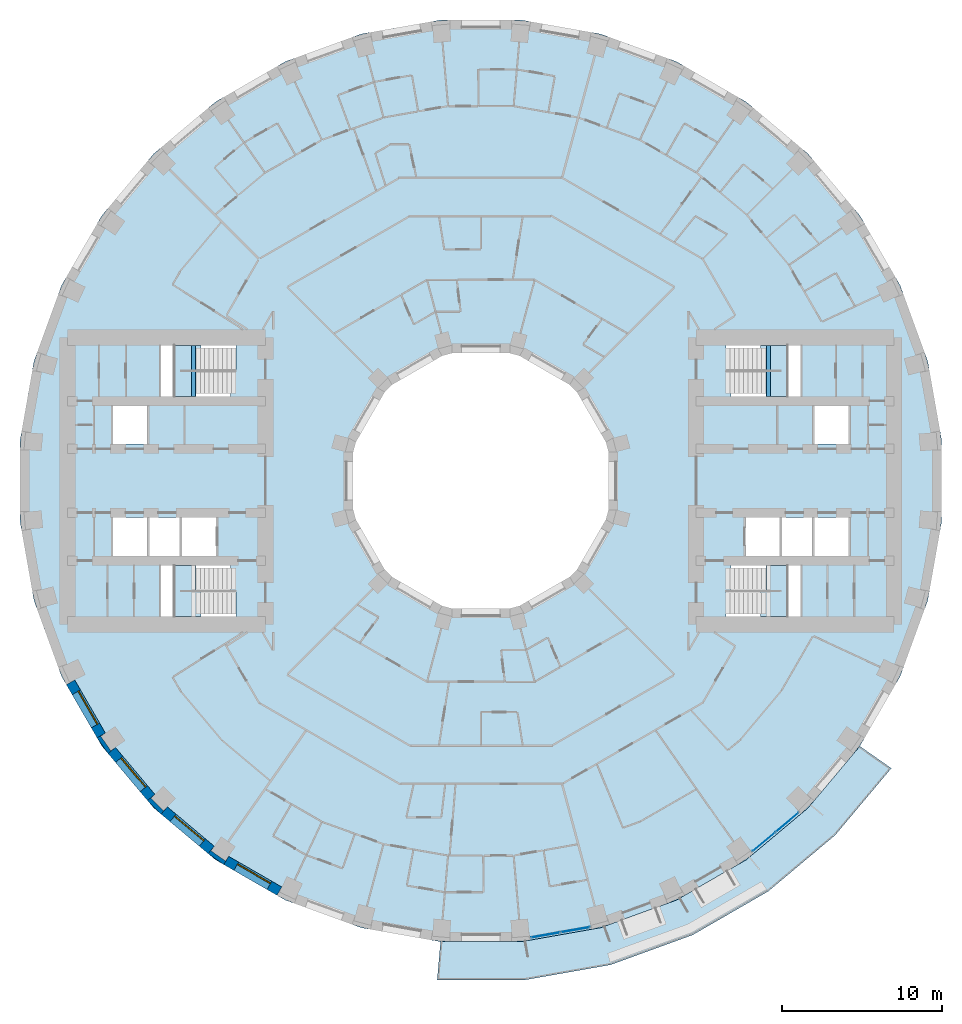
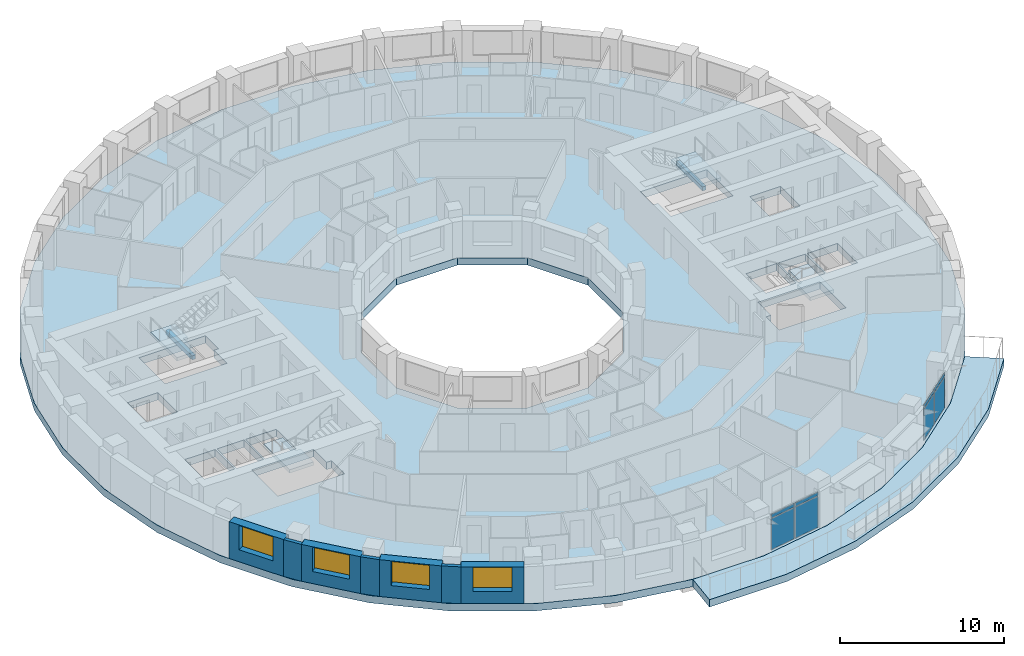
# One storey, part 4 of 16: 8 plates, 7 walls, 6 slabs, 4 windows, 2 beams, 4 openings, 6 elements without a shape of their own.
"""IFC4 building model written with IfcOpenShell, lengths in metres."""

from ifc_helpers import new_model, si_unit, direction, frame, frame_2d, origin, origin_2d, place, context, subcontext, project, spatial, polyline, rectangle, outline, extrude, material, layer, layer_set, material_profile, profile_set, type_object, element, fill, aggregate, save


model = new_model("IFC4")

# Units and contexts
model_context = context("Model", 3, precision=1e-05, world=origin(), true_north=direction((0.0, 1.0)))
body_context = subcontext(model_context, "Body", "Model", "MODEL_VIEW")
ifc_project = project(units=[si_unit("LENGTHUNIT", "METRE"), si_unit("AREAUNIT", "SQUARE_METRE"), si_unit("VOLUMEUNIT", "CUBIC_METRE"), si_unit("PLANEANGLEUNIT", "RADIAN"), si_unit("MASSUNIT", "GRAM", prefix="KILO")], contexts=[model_context])

# Site, building, storey
site_placement = place(None, origin())
site = spatial("IfcSite", under=ifc_project, at=site_placement, CompositionType="ELEMENT")
building_placement = place(site_placement, origin())
building = spatial("IfcBuilding", under=site, at=building_placement, Name="Saqina Gate Tower", CompositionType="ELEMENT")
storey_placement = place(building_placement, frame((0.0, 0.0, 26.300048828125)))
storey = spatial("IfcBuildingStorey", under=building, at=storey_placement, Name="L06", CompositionType="ELEMENT", Elevation=26.300048828125)

# Beams
ifc_material_1 = material(Name="Concrete C40/50", Category="concrete")
ifc_material_profile = material_profile(ifc_material_1, rectangle(XDim=0.25, YDim=0.300048828125, at=origin_2d()), Name="STAIR LANDING BEAM")
ifc_profile_set = profile_set([ifc_material_profile], Name="Concrete C40/50")
beam_type = type_object("IfcBeamType", Name="STAIR LANDING BEAM", PredefinedType="BEAM", material=ifc_profile_set)
for number, where, z_axis, x_axis, name in (
    (1, (18.02001953125, 5.300048828125, 1.25), (0.0, 1.0, 0.0), (-1.0, 0.0, 0.0), "EXIT STAIR 1 LANDING BEAM"),
    (2, (-18.02001953125, 5.300048828125, 1.25), (0.0, 1.0, 0.0), (-1.0, 0.0, 0.0), "EXIT STAIR 3 LANDING BEAM"),
):
    element("IfcBeam", number, at=place(storey_placement, frame(where, z_axis=z_axis, x_axis=x_axis)), inside=storey, type_object=beam_type, Name=name, PredefinedType="BEAM", context=body_context, shape_type="SweptSolid", body=[
        extrude(rectangle(XDim=0.25, YDim=0.300048828125, at=origin_2d()), origin(), (0.0, 0.0, 1.0), 3.199951171875),
    ])

# Curtain wall, plates
ifc_material_2 = material(Name="Aluminium glazing", Category="aluminium")
ifc_layer_1 = layer(ifc_material_2, 0.159912109375)
ifc_layer_set_1 = layer_set([ifc_layer_1], Name="CWT-4")
curtain_wall_type = type_object("IfcCurtainWallType", Name="CWT-4", PredefinedType="NOTDEFINED", material=ifc_layer_set_1)
curtain_wall_1_placement = place(storey_placement, origin())
curtain_wall_1 = element("IfcCurtainWall", 3, at=curtain_wall_1_placement, inside=storey, type_object=curtain_wall_type, Name="Terrace lounge glazing facet 28", PredefinedType="NOTDEFINED")
ifc_material_3 = material(Name="Glass", Category="glass")
ifc_layer_2 = layer(ifc_material_3, 0.028076171875)
ifc_layer_set_2 = layer_set([ifc_layer_2], Name="CWT-4P")
plate_type = type_object("IfcPlateType", Name="CWT-4P", PredefinedType="CURTAIN_PANEL", material=ifc_layer_set_2)
plate_1_placement = place(storey_placement, frame((4.05859375, -28.46728515625, 0.059814453125), z_axis=(0.0, 0.0, 1.0), x_axis=(0.984808678199, 0.17364293059, 0.0)))
plate_1 = element("IfcPlate", 4, at=plate_1_placement, type_object=plate_type, Name="CW4-28 panel 1.1", PredefinedType="CURTAIN_PANEL", context=body_context, shape_type="SweptSolid", body=[
    extrude(rectangle(XDim=1.8330078125, YDim=0.028076171875, at=origin_2d()), origin(), (0.0, 0.0, 1.0), 2.31005859375),
])
plate_2_placement = place(storey_placement, frame((4.05859375, -28.46728515625, 2.43017578125), z_axis=(0.0, 0.0, 1.0), x_axis=(0.984808678199, 0.17364293059, 0.0)))
plate_2 = element("IfcPlate", 5, at=plate_2_placement, type_object=plate_type, Name="CW4-28 panel 1.2", PredefinedType="CURTAIN_PANEL", context=body_context, shape_type="SweptSolid", body=[
    extrude(rectangle(XDim=1.8330078125, YDim=0.028076171875, at=origin_2d()), origin(), (0.0, 0.0, 1.0), 0.260009765625),
])
plate_3_placement = place(storey_placement, frame((5.922607421875, -28.138671875, 0.059814453125), z_axis=(0.0, 0.0, 1.0), x_axis=(0.984808678199, 0.17364293059, 0.0)))
plate_3 = element("IfcPlate", 6, at=plate_3_placement, type_object=plate_type, Name="CW4-28 panel 2.1", PredefinedType="CURTAIN_PANEL", context=body_context, shape_type="SweptSolid", body=[
    extrude(rectangle(XDim=1.8330078125, YDim=0.028076171875, at=origin_2d()), origin(), (0.0, 0.0, 1.0), 2.31005859375),
])
plate_4_placement = place(storey_placement, frame((5.922607421875, -28.138671875, 2.43017578125), z_axis=(0.0, 0.0, 1.0), x_axis=(0.984808678199, 0.17364293059, 0.0)))
plate_4 = element("IfcPlate", 7, at=plate_4_placement, type_object=plate_type, Name="CW4-28 panel 2.2", PredefinedType="CURTAIN_PANEL", context=body_context, shape_type="SweptSolid", body=[
    extrude(rectangle(XDim=1.8330078125, YDim=0.028076171875, at=origin_2d()), origin(), (0.0, 0.0, 1.0), 0.260009765625),
])
aggregate(curtain_wall_1, [plate_1, plate_2, plate_3, plate_4])

curtain_wall_2_placement = place(storey_placement, origin())
curtain_wall_2 = element("IfcCurtainWall", 8, at=curtain_wall_2_placement, inside=storey, type_object=curtain_wall_type, Name="Terrace lounge glazing facet 31", PredefinedType="NOTDEFINED")
plate_5_placement = place(storey_placement, frame((17.74853515625, -22.624267578125, 0.059814453125), z_axis=(0.0, 0.0, 1.0), x_axis=(0.766040784332, 0.642791970033, 0.0)))
plate_5 = element("IfcPlate", 9, at=plate_5_placement, type_object=plate_type, Name="CW4-31 panel 1.1", PredefinedType="CURTAIN_PANEL", context=body_context, shape_type="SweptSolid", body=[
    extrude(rectangle(XDim=1.8330078125, YDim=0.028076171875, at=origin_2d()), origin(), (0.0, 0.0, 1.0), 2.31005859375),
])
plate_6_placement = place(storey_placement, frame((17.74853515625, -22.624267578125, 2.43017578125), z_axis=(0.0, 0.0, 1.0), x_axis=(0.766040784332, 0.642791970033, 0.0)))
plate_6 = element("IfcPlate", 10, at=plate_6_placement, type_object=plate_type, Name="CW4-31 panel 1.2", PredefinedType="CURTAIN_PANEL", context=body_context, shape_type="SweptSolid", body=[
    extrude(rectangle(XDim=1.8330078125, YDim=0.028076171875, at=origin_2d()), origin(), (0.0, 0.0, 1.0), 0.260009765625),
])
plate_7_placement = place(storey_placement, frame((19.198486328125, -21.407470703125, 0.059814453125), z_axis=(0.0, 0.0, 1.0), x_axis=(0.766040784332, 0.642791970033, 0.0)))
plate_7 = element("IfcPlate", 11, at=plate_7_placement, type_object=plate_type, Name="CW4-31 panel 2.1", PredefinedType="CURTAIN_PANEL", context=body_context, shape_type="SweptSolid", body=[
    extrude(rectangle(XDim=1.8330078125, YDim=0.028076171875, at=origin_2d()), origin(), (0.0, 0.0, 1.0), 2.31005859375),
])
plate_8_placement = place(storey_placement, frame((19.198486328125, -21.407470703125, 2.43017578125), z_axis=(0.0, 0.0, 1.0), x_axis=(0.766040784332, 0.642791970033, 0.0)))
plate_8 = element("IfcPlate", 12, at=plate_8_placement, type_object=plate_type, Name="CW4-31 panel 2.2", PredefinedType="CURTAIN_PANEL", context=body_context, shape_type="SweptSolid", body=[
    extrude(rectangle(XDim=1.8330078125, YDim=0.028076171875, at=origin_2d()), origin(), (0.0, 0.0, 1.0), 0.260009765625),
])
aggregate(curtain_wall_2, [plate_5, plate_6, plate_7, plate_8])

# Stair, slab
ifc_material_4 = material(Name="Concrete C40/50", Category="concrete")
stair_type = type_object("IfcStairType", Name="EXIT STAIR", PredefinedType="HALF_TURN_STAIR", material=ifc_material_4)
stair_1_placement = place(storey_placement, origin())
stair_1 = element("IfcStair", 13, at=stair_1_placement, inside=storey, type_object=stair_type, Name="EXIT STAIR 1", PredefinedType="HALF_TURN_STAIR")
ifc_material_5 = material(Name="Concrete C40/50", Category="concrete")
ifc_layer_3 = layer(ifc_material_5, 0.25)
ifc_layer_set_3 = layer_set([ifc_layer_3], Name="Concrete C40/50")
slab_type_1 = type_object("IfcSlabType", Name="EXIT STAIR LANDING", PredefinedType="LANDING", material=ifc_layer_set_3)
slab_1_placement = place(storey_placement, frame((0.0, 0.0, 1.39990234375)))
slab_1 = element("IfcSlab", 14, at=slab_1_placement, type_object=slab_type_1, Name="EXIT STAIR 1 LANDING 1", PredefinedType="LANDING", context=body_context, shape_type="SweptSolid", body=[
    extrude(outline(polyline([(19.219970703125, 8.5), (19.219970703125, 5.300048828125), (17.864990234375, 5.300048828125), (17.864990234375, 6.89990234375), (17.534423828125, 6.89990234375), (17.534423828125, 8.5), (17.864990234375, 8.5), (17.8701171875, 8.5), (19.219970703125, 8.5)])), origin(), (0.0, 0.0, 1.0), 0.25),
])
aggregate(stair_1, [slab_1])

stair_2_placement = place(storey_placement, origin())
stair_2 = element("IfcStair", 15, at=stair_2_placement, inside=storey, type_object=stair_type, Name="EXIT STAIR 2", PredefinedType="HALF_TURN_STAIR")
slab_2_placement = place(storey_placement, frame((0.0, 0.0, 1.39990234375)))
slab_2 = element("IfcSlab", 16, at=slab_2_placement, type_object=slab_type_1, Name="EXIT STAIR 2 LANDING 1", PredefinedType="LANDING", context=body_context, shape_type="SweptSolid", body=[
    extrude(outline(polyline([(17.534423828125, -8.5), (17.534423828125, -6.89990234375), (17.864990234375, -6.89990234375), (17.864990234375, -5.300048828125), (19.219970703125, -5.300048828125), (19.219970703125, -8.5), (17.8701171875, -8.5), (17.864990234375, -8.5), (17.534423828125, -8.5)])), origin(), (0.0, 0.0, 1.0), 0.25),
])
aggregate(stair_2, [slab_2])

stair_3_placement = place(storey_placement, origin())
stair_3 = element("IfcStair", 17, at=stair_3_placement, inside=storey, type_object=stair_type, Name="EXIT STAIR 3", PredefinedType="HALF_TURN_STAIR")
slab_3_placement = place(storey_placement, frame((0.0, 0.0, 1.39990234375)))
slab_3 = element("IfcSlab", 18, at=slab_3_placement, type_object=slab_type_1, Name="EXIT STAIR 3 LANDING 1", PredefinedType="LANDING", context=body_context, shape_type="SweptSolid", body=[
    extrude(outline(polyline([(-17.864990234375, 5.300048828125), (-19.219970703125, 5.300048828125), (-19.219970703125, 8.5), (-17.8701171875, 8.5), (-17.864990234375, 8.5), (-17.534423828125, 8.5), (-17.534423828125, 6.89990234375), (-17.864990234375, 6.89990234375), (-17.864990234375, 5.300048828125)])), origin(), (0.0, 0.0, 1.0), 0.25),
])
aggregate(stair_3, [slab_3])

stair_4_placement = place(storey_placement, origin())
stair_4 = element("IfcStair", 19, at=stair_4_placement, inside=storey, type_object=stair_type, Name="EXIT STAIR 4", PredefinedType="HALF_TURN_STAIR")
slab_4_placement = place(storey_placement, frame((0.0, 0.0, 1.39990234375)))
slab_4 = element("IfcSlab", 20, at=slab_4_placement, type_object=slab_type_1, Name="EXIT STAIR 4 LANDING 1", PredefinedType="LANDING", context=body_context, shape_type="SweptSolid", body=[
    extrude(outline(polyline([(-17.534423828125, -6.89990234375), (-17.534423828125, -8.5), (-17.864990234375, -8.5), (-17.8701171875, -8.5), (-19.219970703125, -8.5), (-19.219970703125, -5.300048828125), (-17.864990234375, -5.300048828125), (-17.864990234375, -6.89990234375), (-17.534423828125, -6.89990234375)])), origin(), (0.0, 0.0, 1.0), 0.25),
])
aggregate(stair_4, [slab_4])

# Slabs
ifc_material_6 = material(Name="Concrete C40/50", Category="concrete")
ifc_layer_4 = layer(ifc_material_6, 0.550048828125)
ifc_layer_set_4 = layer_set([ifc_layer_4], Name="Concrete C40/50")
slab_type_2 = type_object("IfcSlabType", Name="STR-POST-TENSIONED FLAT PLATE FLOOR-550", PredefinedType="FLOOR", material=ifc_layer_set_4)
slab_5_placement = place(storey_placement, frame((0.0, 0.0, -0.550048828125)))
element("IfcSlab", 21, at=slab_5_placement, inside=storey, type_object=slab_type_2, Name="L06-SLB01", PredefinedType="FLOOR", context=body_context, shape_type="SweptSolid", body=[
    extrude(outline(polyline([(28.011962890625, -7.505859375), (28.8896484375, -2.527587890625), (28.8896484375, 2.527587890625), (28.011962890625, 7.505859375), (26.282958984375, 12.255859375), (23.75537109375, 16.6337890625), (20.506103515625, 20.506103515625), (16.6337890625, 23.75537109375), (12.255859375, 26.282958984375), (7.505859375, 28.011962890625), (2.527587890625, 28.8896484375), (-2.527587890625, 28.8896484375), (-7.505859375, 28.011962890625), (-12.255859375, 26.282958984375), (-16.6337890625, 23.75537109375), (-20.506103515625, 20.506103515625), (-23.75537109375, 16.6337890625), (-26.282958984375, 12.255859375), (-28.011962890625, 7.505859375), (-28.8896484375, 2.527587890625), (-28.8896484375, -2.527587890625), (-28.011962890625, -7.505859375), (-26.282958984375, -12.255859375), (-23.75537109375, -16.6337890625), (-20.506103515625, -20.506103515625), (-16.6337890625, -23.75537109375), (-12.255859375, -26.282958984375), (-7.505859375, -28.011962890625), (-2.527587890625, -28.8896484375), (2.527587890625, -28.8896484375), (7.505859375, -28.011962890625), (12.255859375, -26.282958984375), (16.6337890625, -23.75537109375), (20.506103515625, -20.506103515625), (23.75537109375, -16.6337890625), (26.282958984375, -12.255859375), (28.011962890625, -7.505859375)]), holes=[polyline([(2.1435546875, 8.0), (5.8564453125, 5.8564453125), (8.0, 2.1435546875), (8.0, -2.1435546875), (5.8564453125, -5.8564453125), (2.1435546875, -8.0), (-2.1435546875, -8.0), (-5.8564453125, -5.8564453125), (-8.0, -2.1435546875), (-8.0, 2.1435546875), (-5.8564453125, 5.8564453125), (-2.1435546875, 8.0), (2.1435546875, 8.0)]), polyline([(-20.06005859375, -8.5), (-20.06005859375, -6.89990234375), (-20.06005859375, -5.300048828125), (-15.685546875, -5.300048828125), (-15.685546875, -6.89990234375), (-15.35498046875, -6.89990234375), (-15.35498046875, -8.5), (-20.06005859375, -8.5)]), polyline([(-20.89990234375, -2.300048828125), (-20.89990234375, -4.699951171875), (-23.06005859375, -4.699951171875), (-23.06005859375, -2.300048828125), (-20.89990234375, -2.300048828125)]), polyline([(-18.8701171875, -2.300048828125), (-18.8701171875, -4.699951171875), (-20.780029296875, -4.699951171875), (-20.780029296875, -2.300048828125), (-18.8701171875, -2.300048828125)]), polyline([(-16.590087890625, -2.300048828125), (-16.590087890625, -4.699951171875), (-18.75, -4.699951171875), (-18.75, -2.300048828125), (-16.590087890625, -2.300048828125)]), polyline([(-20.89990234375, 4.699951171875), (-20.89990234375, 2.300048828125), (-23.06005859375, 2.300048828125), (-23.06005859375, 4.699951171875), (-20.89990234375, 4.699951171875)]), polyline([(-20.06005859375, 6.89990234375), (-20.06005859375, 8.5), (-15.35498046875, 8.5), (-15.35498046875, 6.89990234375), (-15.685546875, 6.89990234375), (-15.685546875, 5.300048828125), (-20.06005859375, 5.300048828125), (-20.06005859375, 6.89990234375)]), polyline([(15.35498046875, -6.89990234375), (15.685546875, -6.89990234375), (15.685546875, -5.300048828125), (20.06005859375, -5.300048828125), (20.06005859375, -6.89990234375), (20.06005859375, -8.5), (15.35498046875, -8.5), (15.35498046875, -6.89990234375)]), polyline([(18.75, -2.300048828125), (18.75, -4.699951171875), (16.590087890625, -4.699951171875), (16.590087890625, -2.300048828125), (18.75, -2.300048828125)]), polyline([(20.780029296875, -2.300048828125), (20.780029296875, -4.699951171875), (18.8701171875, -4.699951171875), (18.8701171875, -2.300048828125), (20.780029296875, -2.300048828125)]), polyline([(23.06005859375, -2.300048828125), (23.06005859375, -4.699951171875), (20.89990234375, -4.699951171875), (20.89990234375, -2.300048828125), (23.06005859375, -2.300048828125)]), polyline([(23.06005859375, 4.699951171875), (23.06005859375, 2.300048828125), (20.89990234375, 2.300048828125), (20.89990234375, 4.699951171875), (23.06005859375, 4.699951171875)]), polyline([(15.685546875, 6.89990234375), (15.35498046875, 6.89990234375), (15.35498046875, 8.5), (20.06005859375, 8.5), (20.06005859375, 6.89990234375), (20.06005859375, 5.300048828125), (15.685546875, 5.300048828125), (15.685546875, 6.89990234375)])]), origin(), (0.0, 0.0, 1.0), 0.550048828125),
])
ifc_material_7 = material(Name="Concrete C40/50", Category="concrete")
ifc_layer_5 = layer(ifc_material_7, 0.550048828125)
ifc_layer_set_5 = layer_set([ifc_layer_5], Name="Concrete C40/50")
slab_type_3 = type_object("IfcSlabType", Name="STR-POST-TENSIONED FLAT PLATE TERRACE-550", PredefinedType="FLOOR", material=ifc_layer_set_5)
slab_6_placement = place(storey_placement, frame((0.0, 0.0, -0.550048828125)))
element("IfcSlab", 22, at=slab_6_placement, inside=storey, type_object=slab_type_3, Name="L06-TRS01", PredefinedType="FLOOR", context=body_context, shape_type="SweptSolid", body=[
    extrude(outline(polyline([(-2.527587890625, -28.8896484375), (2.527587890625, -28.8896484375), (7.505859375, -28.011962890625), (12.255859375, -26.282958984375), (16.6337890625, -23.75537109375), (20.506103515625, -20.506103515625), (23.75537109375, -16.6337890625), (25.72900390625, -18.015625), (22.209716796875, -22.209716796875), (18.015625, -25.72900390625), (13.274169921875, -28.46630859375), (8.12939453125, -30.3388671875), (2.737548828125, -31.28955078125), (-2.737548828125, -31.28955078125), (-2.527587890625, -28.8896484375)])), origin(), (0.0, 0.0, 1.0), 0.550048828125),
])

# Walls
ifc_material_8 = material(Name="Brick masonry (red)", Category="masonry")
wall_type_1 = type_object("IfcWallType", Name="BRICK PIER COPING RED", PredefinedType="SOLIDWALL", material=ifc_material_8)
wall_1_placement = place(storey_placement, origin())
element("IfcWall", 23, at=wall_1_placement, inside=storey, type_object=wall_type_1, Name="Pier cap L06 column 22", PredefinedType="SOLIDWALL", context=body_context, shape_type="SweptSolid", body=[
    extrude(outline(polyline([(-24.0576171875, -16.110107421875), (-23.36669921875, -17.096923828125), (-22.9072265625, -16.711181640625), (-23.194091796875, -16.912109375), (-23.8251953125, -16.010986328125), (-23.5380859375, -15.81005859375), (-24.0576171875, -16.110107421875)])), origin(), (0.0, 0.0, 1.0), 2.75),
])
wall_2_placement = place(storey_placement, origin())
element("IfcWall", 24, at=wall_2_placement, inside=storey, type_object=wall_type_1, Name="Pier cap L06 column 23", PredefinedType="SOLIDWALL", context=body_context, shape_type="SweptSolid", body=[
    extrude(outline(polyline([(-20.04296875, -20.894775390625), (-19.6572265625, -20.43505859375), (-19.905029296875, -20.682861328125), (-20.682861328125, -19.905029296875), (-20.43505859375, -19.6572265625), (-20.894775390625, -20.04296875), (-20.04296875, -20.894775390625)])), origin(), (0.0, 0.0, 1.0), 2.75),
])
wall_3_placement = place(storey_placement, origin())
element("IfcWall", 25, at=wall_3_placement, inside=storey, type_object=wall_type_1, Name="Pier cap L06 column 24", PredefinedType="SOLIDWALL", context=body_context, shape_type="SweptSolid", body=[
    extrude(outline(polyline([(-17.096923828125, -23.36669921875), (-16.110107421875, -24.0576171875), (-15.81005859375, -23.5380859375), (-16.010986328125, -23.8251953125), (-16.912109375, -23.194091796875), (-16.711181640625, -22.9072265625), (-17.096923828125, -23.36669921875)])), origin(), (0.0, 0.0, 1.0), 2.75),
])

# Wall, opening, window
ifc_material_9 = material(Name="Brick masonry (red)", Category="masonry")
ifc_layer_6 = layer(ifc_material_9, 0.60009765625)
ifc_layer_set_6 = layer_set([ifc_layer_6], Name="FW-BRICK-RED")
wall_type_2 = type_object("IfcWallType", Name="FW-BRICK-RED", PredefinedType="SOLIDWALL", material=ifc_layer_set_6)
wall_4_placement = place(storey_placement, frame((-25.720703125, -12.629638671875, 0.0), z_axis=(0.0, 0.0, 1.0), x_axis=(0.499989888488, -0.86603124159, 0.0)))
wall_4 = element("IfcWall", 26, at=wall_4_placement, inside=storey, type_object=wall_type_2, Name="Facade wall L06 facet 21", PredefinedType="SOLIDWALL", context=body_context, shape_type="SweptSolid", body=[
    extrude(rectangle(XDim=3.845703125, YDim=0.60009765625, at=frame_2d((1.9228515625, 0.0))), origin(), (0.0, 0.0, 1.0), 2.75),
])
opening_1_placement = place(wall_4_placement, frame((0.722900390625, 0.0, 0.89990234375)))
opening_1 = element("IfcOpeningElement", 27, at=opening_1_placement, cuts=wall_4, Name="Opening G01-W14", PredefinedType="OPENING", context=body_context, shape_type="SweptSolid", body=[
    extrude(rectangle(XDim=2.39990234375, YDim=1.800048828125, at=frame_2d((1.199951171875, 0.89990234375))), frame((0.0, 0.31201171875, 0.0), z_axis=(0.0, -1.0, 0.0), x_axis=(1.0, 0.0, 0.0)), (0.0, 0.0, 1.0), 0.6240234375),
])
ifc_material_10 = material(Name="Aluminium glazing", Category="aluminium")
window_type = type_object("IfcWindowType", Name="WN-A", PartitioningType="SINGLE_PANEL", PredefinedType="WINDOW", material=ifc_material_10)
window_1_placement = place(opening_1_placement, origin())
window_1 = element("IfcWindow", 28, at=window_1_placement, inside=storey, type_object=window_type, Name="Window L06 facet 21", OverallHeight=1.800048828125, OverallWidth=2.39990234375, PartitioningType="SINGLE_PANEL", PredefinedType="WINDOW", context=body_context, shape_type="SweptSolid", body=[
    extrude(rectangle(XDim=2.39990234375, YDim=1.800048828125, at=frame_2d((1.199951171875, 0.89990234375))), frame((0.0, 0.179931640625, 0.0), z_axis=(0.0, -1.0, 0.0), x_axis=(1.0, 0.0, 0.0)), (0.0, 0.0, 1.0), 0.06005859375),
])
fill(opening_1, window_1)

wall_5_placement = place(storey_placement, frame((-23.136962890625, -16.904052734375, 0.0), z_axis=(0.0, 0.0, 1.0), x_axis=(0.642809392687, -0.766026164483, 0.0)))
wall_5 = element("IfcWall", 29, at=wall_5_placement, inside=storey, type_object=wall_type_2, Name="Facade wall L06 facet 22", PredefinedType="SOLIDWALL", context=body_context, shape_type="SweptSolid", body=[
    extrude(rectangle(XDim=3.845947265625, YDim=0.60009765625, at=frame_2d((1.9228515625, 0.0))), origin(), (0.0, 0.0, 1.0), 2.75),
])
opening_2_placement = place(wall_5_placement, frame((0.722900390625, 0.0, 0.89990234375)))
opening_2 = element("IfcOpeningElement", 30, at=opening_2_placement, cuts=wall_5, Name="Opening G01-W15", PredefinedType="OPENING", context=body_context, shape_type="SweptSolid", body=[
    extrude(rectangle(XDim=2.39990234375, YDim=1.800048828125, at=frame_2d((1.199951171875, 0.89990234375))), frame((0.0, 0.31201171875, 0.0), z_axis=(0.0, -1.0, 0.0), x_axis=(1.0, 0.0, 0.0)), (0.0, 0.0, 1.0), 0.6240234375),
])
window_2_placement = place(opening_2_placement, origin())
window_2 = element("IfcWindow", 31, at=window_2_placement, inside=storey, type_object=window_type, Name="Window L06 facet 22", OverallHeight=1.800048828125, OverallWidth=2.39990234375, PartitioningType="SINGLE_PANEL", PredefinedType="WINDOW", context=body_context, shape_type="SweptSolid", body=[
    extrude(rectangle(XDim=2.39990234375, YDim=1.800048828125, at=frame_2d((1.199951171875, 0.89990234375))), frame((0.0, 0.179931640625, 0.0), z_axis=(0.0, -1.0, 0.0), x_axis=(1.0, 0.0, 0.0)), (0.0, 0.0, 1.0), 0.06005859375),
])
fill(opening_2, window_2)

wall_6_placement = place(storey_placement, frame((-19.85009765625, -20.664794921875, 0.0), z_axis=(0.0, 0.0, 1.0), x_axis=(0.766026164483, -0.642809392687, 0.0)))
wall_6 = element("IfcWall", 32, at=wall_6_placement, inside=storey, type_object=wall_type_2, Name="Facade wall L06 facet 23", PredefinedType="SOLIDWALL", context=body_context, shape_type="SweptSolid", body=[
    extrude(rectangle(XDim=3.845947265625, YDim=0.60009765625, at=frame_2d((1.9228515625, 0.0))), origin(), (0.0, 0.0, 1.0), 2.75),
])
opening_3_placement = place(wall_6_placement, frame((0.722900390625, 0.0, 0.89990234375)))
opening_3 = element("IfcOpeningElement", 33, at=opening_3_placement, cuts=wall_6, Name="Opening G01-W16", PredefinedType="OPENING", context=body_context, shape_type="SweptSolid", body=[
    extrude(rectangle(XDim=2.39990234375, YDim=1.800048828125, at=frame_2d((1.199951171875, 0.89990234375))), frame((0.0, 0.31201171875, 0.0), z_axis=(0.0, -1.0, 0.0), x_axis=(1.0, 0.0, 0.0)), (0.0, 0.0, 1.0), 0.6240234375),
])
window_3_placement = place(opening_3_placement, origin())
window_3 = element("IfcWindow", 34, at=window_3_placement, inside=storey, type_object=window_type, Name="Window L06 facet 23", OverallHeight=1.800048828125, OverallWidth=2.39990234375, PartitioningType="SINGLE_PANEL", PredefinedType="WINDOW", context=body_context, shape_type="SweptSolid", body=[
    extrude(rectangle(XDim=2.39990234375, YDim=1.800048828125, at=frame_2d((1.199951171875, 0.89990234375))), frame((0.0, 0.179931640625, 0.0), z_axis=(0.0, -1.0, 0.0), x_axis=(1.0, 0.0, 0.0)), (0.0, 0.0, 1.0), 0.06005859375),
])
fill(opening_3, window_3)

wall_7_placement = place(storey_placement, frame((-15.960205078125, -23.7978515625, 0.0), z_axis=(0.0, 0.0, 1.0), x_axis=(0.86603124159, -0.499989888488, 0.0)))
wall_7 = element("IfcWall", 35, at=wall_7_placement, inside=storey, type_object=wall_type_2, Name="Facade wall L06 facet 24", PredefinedType="SOLIDWALL", context=body_context, shape_type="SweptSolid", body=[
    extrude(rectangle(XDim=3.845703125, YDim=0.60009765625, at=frame_2d((1.9228515625, 0.0))), origin(), (0.0, 0.0, 1.0), 2.75),
])
opening_4_placement = place(wall_7_placement, frame((0.722900390625, 0.0, 0.89990234375)))
opening_4 = element("IfcOpeningElement", 36, at=opening_4_placement, cuts=wall_7, Name="Opening G01-W17", PredefinedType="OPENING", context=body_context, shape_type="SweptSolid", body=[
    extrude(rectangle(XDim=2.39990234375, YDim=1.800048828125, at=frame_2d((1.199951171875, 0.89990234375))), frame((0.0, 0.31201171875, 0.0), z_axis=(0.0, -1.0, 0.0), x_axis=(1.0, 0.0, 0.0)), (0.0, 0.0, 1.0), 0.6240234375),
])
window_4_placement = place(opening_4_placement, origin())
window_4 = element("IfcWindow", 37, at=window_4_placement, inside=storey, type_object=window_type, Name="Window L06 facet 24", OverallHeight=1.800048828125, OverallWidth=2.39990234375, PartitioningType="SINGLE_PANEL", PredefinedType="WINDOW", context=body_context, shape_type="SweptSolid", body=[
    extrude(rectangle(XDim=2.39990234375, YDim=1.800048828125, at=frame_2d((1.199951171875, 0.89990234375))), frame((0.0, 0.179931640625, 0.0), z_axis=(0.0, -1.0, 0.0), x_axis=(1.0, 0.0, 0.0)), (0.0, 0.0, 1.0), 0.06005859375),
])
fill(opening_4, window_4)

save(model, "model.ifc")
